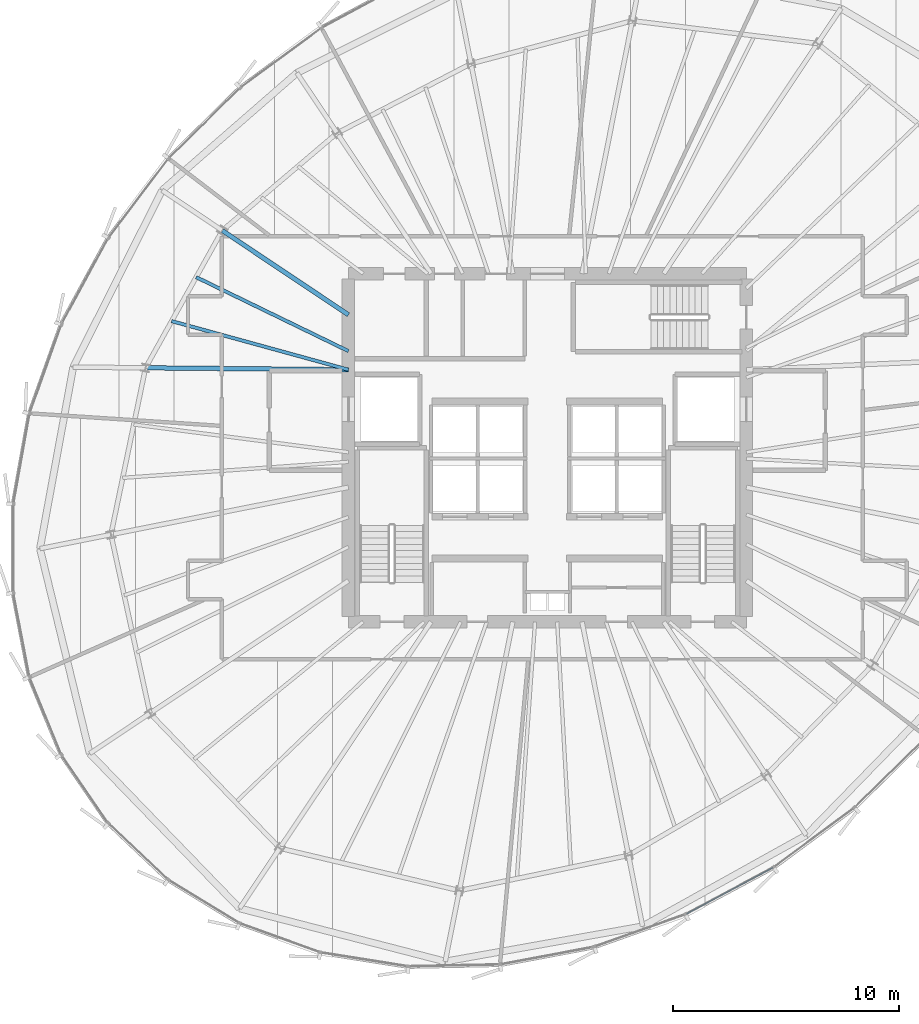
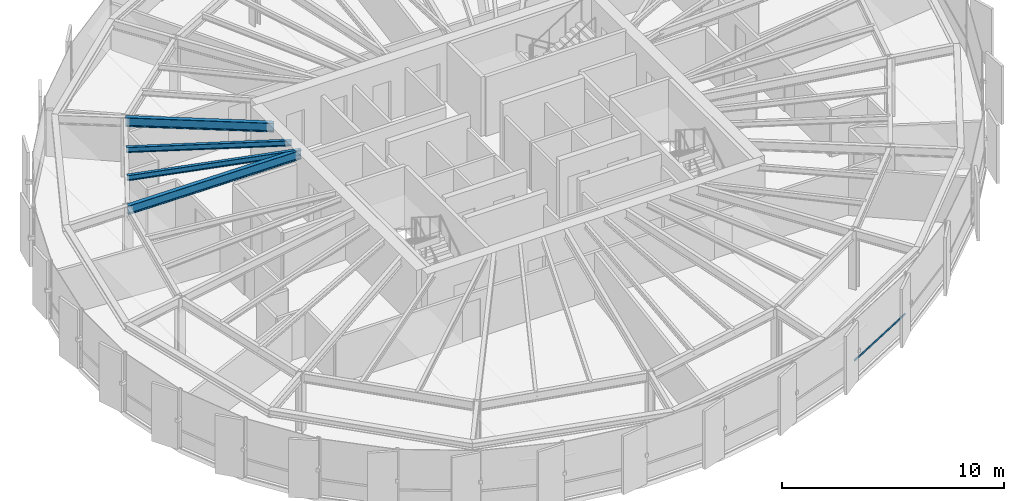
# One storey, part 13 of 36: 4 beams, 1 member, 1 element without a shape of its own.
"""IFC4 building model written with IfcOpenShell, lengths in metres."""

from ifc_helpers import new_model, si_unit, direction, frame, origin, origin_2d, place, context, subcontext, project, spatial, hollow_rectangle, i_section, extrude, source, transform, mapped, material, layer, layer_set, material_profile, profile_set, type_object, element, aggregate, save


model = new_model("IFC4")

# Units and contexts
model_context = context("Model", 3, precision=1e-05, world=origin(), true_north=direction((0.0, 1.0)))
body_context = subcontext(model_context, "Body", "Model", "MODEL_VIEW")
ifc_project = project(units=[si_unit("LENGTHUNIT", "METRE"), si_unit("AREAUNIT", "SQUARE_METRE"), si_unit("VOLUMEUNIT", "CUBIC_METRE"), si_unit("PLANEANGLEUNIT", "RADIAN"), si_unit("MASSUNIT", "GRAM", prefix="KILO"), si_unit("THERMODYNAMICTEMPERATUREUNIT", "KELVIN")], contexts=[model_context])

# Site, building, storey
site_placement = place(None, origin())
site = spatial("IfcSite", under=ifc_project, at=site_placement, CompositionType="ELEMENT")
building_placement = place(site_placement, origin())
building = spatial("IfcBuilding", under=site, at=building_placement, Name="Kethvar Cultural Tower", CompositionType="ELEMENT")
storey_placement = place(building_placement, frame((0.0, 0.0, 197.39990234375)))
storey = spatial("IfcBuildingStorey", under=building, at=storey_placement, Name="L51", CompositionType="ELEMENT", Elevation=197.39990234375)

# Beams
ifc_material_1 = material(Name="Steel S355J2", Category="steel")
ifc_material_profile_1 = material_profile(ifc_material_1, i_section(OverallWidth=0.199951171875, OverallDepth=0.5, WebThickness=0.01025390625, FlangeThickness=0.01611328125, FilletRadius=0.02099609375, at=origin_2d()), Name="Steel S355J2 — IPE500")
ifc_profile_set_1 = profile_set([ifc_material_profile_1], Name="Steel S355J2 — IPE500")
beam_type_1 = type_object("IfcBeamType", Name="BM-IPE500", PredefinedType="BEAM", material=ifc_profile_set_1)
shared_shape_1 = source(origin(), body_context, "Body", "SweptSolid", [
    extrude(i_section(OverallWidth=0.199951171875, OverallDepth=0.5, WebThickness=0.01025390625, FlangeThickness=0.01611328125, FilletRadius=0.02099609375, at=origin_2d()), origin(), (0.0, 0.0, 1.0), 6.713134765625),
])
beam_1_placement = place(storey_placement, frame((38.0, 33.679931640625, 3.008056640625), z_axis=(-0.831479157792, 0.55555594692, 0.0), x_axis=(-0.55555594692, -0.831479157792, 0.0)))
element("IfcBeam", 1, at=beam_1_placement, inside=storey, type_object=beam_type_1, Name="L51 Primary Radial Beam RB-07", PredefinedType="BEAM", context=body_context, shape_type="MappedRepresentation", body=[
    mapped(shared_shape_1, transform((0.0, 0.0, 0.0), scale=1.0)),
])
shared_shape_2 = source(origin(), body_context, "Body", "SweptSolid", [
    extrude(i_section(OverallWidth=0.199951171875, OverallDepth=0.5, WebThickness=0.01025390625, FlangeThickness=0.01611328125, FilletRadius=0.02099609375, at=origin_2d()), origin(), (0.0, 0.0, 1.0), 8.9755859375),
])
beam_2_placement = place(storey_placement, frame((38.0, 31.25, 3.008056640625), z_axis=(-0.999954421893, 0.00954746755, 0.0), x_axis=(-0.00954746755, -0.999954421893, 0.0)))
element("IfcBeam", 2, at=beam_2_placement, inside=storey, type_object=beam_type_1, Name="L51 Primary Radial Beam RB-08", PredefinedType="BEAM", context=body_context, shape_type="MappedRepresentation", body=[
    mapped(shared_shape_2, transform((0.0, 0.0, 0.0), scale=1.0)),
])
ifc_material_profile_2 = material_profile(ifc_material_1, i_section(OverallWidth=0.14990234375, OverallDepth=0.300048828125, WebThickness=0.007080078125, FlangeThickness=0.0107421875, FilletRadius=0.014892578125, at=origin_2d()), Name="Steel S355J2 — IPE300")
ifc_profile_set_2 = profile_set([ifc_material_profile_2], Name="Steel S355J2 — IPE300")
beam_type_2 = type_object("IfcBeamType", Name="BM-J300", PredefinedType="JOIST", material=ifc_profile_set_2)
shared_shape_3 = source(origin(), body_context, "Body", "SweptSolid", [
    extrude(i_section(OverallWidth=0.14990234375, OverallDepth=0.300048828125, WebThickness=0.007080078125, FlangeThickness=0.0107421875, FilletRadius=0.014892578125, at=origin_2d()), origin(), (0.0, 0.0, 1.0), 7.48779296875),
])
beam_3_placement = place(storey_placement, frame((38.0, 32.073486328125, 3.108154296875), z_axis=(-0.8995385432, 0.436841400623, 0.0), x_axis=(-0.436841400623, -0.8995385432, 0.0)))
element("IfcBeam", 3, at=beam_3_placement, inside=storey, type_object=beam_type_2, Name="L51 Composite Floor Joist J-07A", PredefinedType="JOIST", context=body_context, shape_type="MappedRepresentation", body=[
    mapped(shared_shape_3, transform((0.0, 0.0, 0.0), scale=1.0)),
])
shared_shape_4 = source(origin(), body_context, "Body", "SweptSolid", [
    extrude(i_section(OverallWidth=0.14990234375, OverallDepth=0.300048828125, WebThickness=0.007080078125, FlangeThickness=0.0107421875, FilletRadius=0.014892578125, at=origin_2d()), origin(), (0.0, 0.0, 1.0), 8.111572265625),
])
beam_4_placement = place(storey_placement, frame((38.0, 31.25, 3.108154296875), z_axis=(-0.96420462331, 0.265159281164, 0.0), x_axis=(-0.265159281164, -0.96420462331, 0.0)))
element("IfcBeam", 4, at=beam_4_placement, inside=storey, type_object=beam_type_2, Name="L51 Composite Floor Joist J-07B", PredefinedType="JOIST", context=body_context, shape_type="MappedRepresentation", body=[
    mapped(shared_shape_4, transform((0.0, 0.0, 0.0), scale=1.0)),
])

# Curtain wall, member
ifc_material_2 = material(Name="Aluminium 6063-T6", Category="aluminium")
ifc_layer = layer(ifc_material_2, 0.179931640625, Name="Aluminium 6063-T6", Category="aluminium")
ifc_layer_set = layer_set([ifc_layer], Name="Aluminium 6063-T6 (180 mm)")
curtain_wall_type = type_object("IfcCurtainWallType", Name="CW-SYS-04-Z34", PredefinedType="NOTDEFINED", material=ifc_layer_set)
curtain_wall_placement = place(storey_placement, origin())
curtain_wall = element("IfcCurtainWall", 5, at=curtain_wall_placement, inside=storey, type_object=curtain_wall_type, Name="L51 Curtain Wall Run 05", PredefinedType="NOTDEFINED")
ifc_material_profile_3 = material_profile(ifc_material_2, hollow_rectangle(XDim=0.050048828125, YDim=0.10009765625, WallThickness=0.00390625, at=origin_2d()), Name="Aluminium 6063-T6 — RHS100x50x4")
ifc_profile_set_3 = profile_set([ifc_material_profile_3], Name="Aluminium 6063-T6 — RHS100x50x4")
member_type = type_object("IfcMemberType", Name="CW-SYS-04-Z34-TRN", PredefinedType="USERDEFINED", material=ifc_profile_set_3)
shared_shape_5 = source(origin(), body_context, "Body", "SweptSolid", [
    extrude(hollow_rectangle(XDim=0.050048828125, YDim=0.10009765625, WallThickness=0.00390625, at=origin_2d()), origin(), (0.0, 0.0, 1.0), 4.337890625),
])
member_placement = place(storey_placement, frame((52.95166015625, 7.182373046875, 0.9501953125), z_axis=(0.882034918156, 0.471184043823, 0.0), x_axis=(-0.471184043823, 0.882034918156, 0.0)))
member = element("IfcMember", 6, at=member_placement, type_object=member_type, Name="CW-L51-R05 Transom 2", ObjectType="TRANSOM", PredefinedType="USERDEFINED", context=body_context, shape_type="MappedRepresentation", body=[
    mapped(shared_shape_5, transform((0.0, 0.0, 0.0), scale=1.0)),
])
aggregate(curtain_wall, [member])

save(model, "model.ifc")
